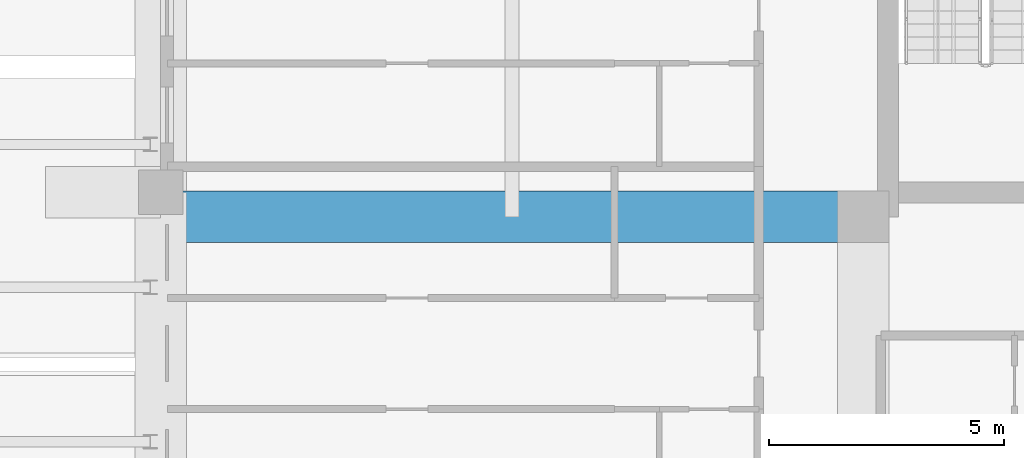
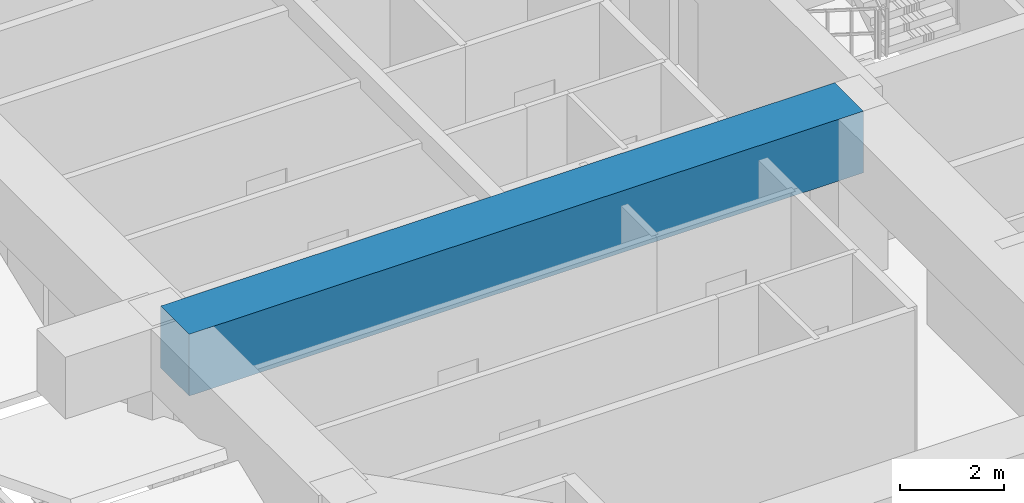
# One storey, part 5 of 45: 1 beam.
"""IFC4 building model written with IfcOpenShell, lengths in metres."""

from ifc_helpers import new_model, si_unit, direction, frame, origin, origin_2d, place, context, subcontext, project, spatial, rectangle, extrude, source, transform, mapped, material, material_profile, profile_set, type_object, element, save


model = new_model("IFC4")

# Units and contexts
model_context = context("Model", 3, precision=1e-05, world=origin(), true_north=direction((0.0, 1.0)))
body_context = subcontext(model_context, "Body", "Model", "MODEL_VIEW")
ifc_project = project(units=[si_unit("LENGTHUNIT", "METRE"), si_unit("AREAUNIT", "SQUARE_METRE"), si_unit("VOLUMEUNIT", "CUBIC_METRE"), si_unit("PLANEANGLEUNIT", "RADIAN"), si_unit("MASSUNIT", "GRAM", prefix="KILO")], contexts=[model_context])

# Site, building, storey
site_placement = place(None, origin())
site = spatial("IfcSite", under=ifc_project, at=site_placement, CompositionType="ELEMENT")
building_placement = place(site_placement, origin())
building = spatial("IfcBuilding", under=site, at=building_placement, Name="Saelheon Loggia Tower", CompositionType="ELEMENT")
storey_placement = place(building_placement, frame((0.0, 0.0, 152.199951171875)))
storey = spatial("IfcBuildingStorey", under=building, at=storey_placement, Name="L48", CompositionType="ELEMENT", Elevation=152.199951171875)

# Beam
ifc_material = material(Name="Concrete C50/60", Category="concrete")
ifc_material_profile = material_profile(ifc_material, rectangle(XDim=1.10009765625, YDim=1.449951171875, at=origin_2d()), Name="RC-1100x1450")
ifc_profile_set = profile_set([ifc_material_profile], Name="Concrete C50/60")
beam_type = type_object("IfcBeamType", Name="Beam_Transfer_RC1100x1450", PredefinedType="BEAM", material=ifc_profile_set)
shared_shape = source(origin(), body_context, "Body", "SweptSolid", [
    extrude(rectangle(XDim=1.10009765625, YDim=1.449951171875, at=origin_2d()), origin(), (0.0, 0.0, 1.0), 14.97998046875),
])
beam_placement = place(storey_placement, frame((30.97998046875, 17.47998046875, 3.175048828125), z_axis=(-1.0, 0.0, 0.0), x_axis=(0.0, -1.0, 0.0)))
element("IfcBeam", 1, at=beam_placement, inside=storey, type_object=beam_type, Name="L48 Radial Floor Girder RAD-SW-W", PredefinedType="BEAM", context=body_context, shape_type="MappedRepresentation", body=[
    mapped(shared_shape, transform((0.0, 0.0, 0.0), scale=1.0)),
])

save(model, "model.ifc")
